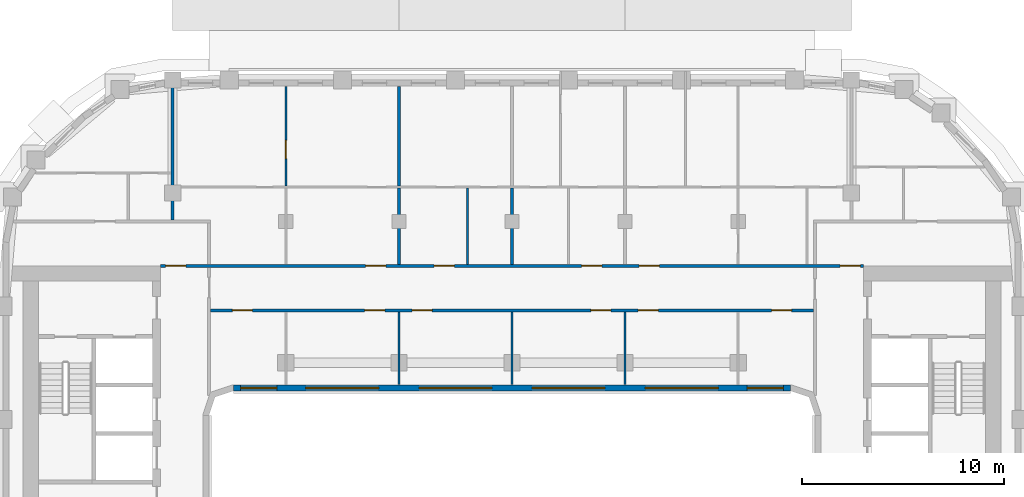
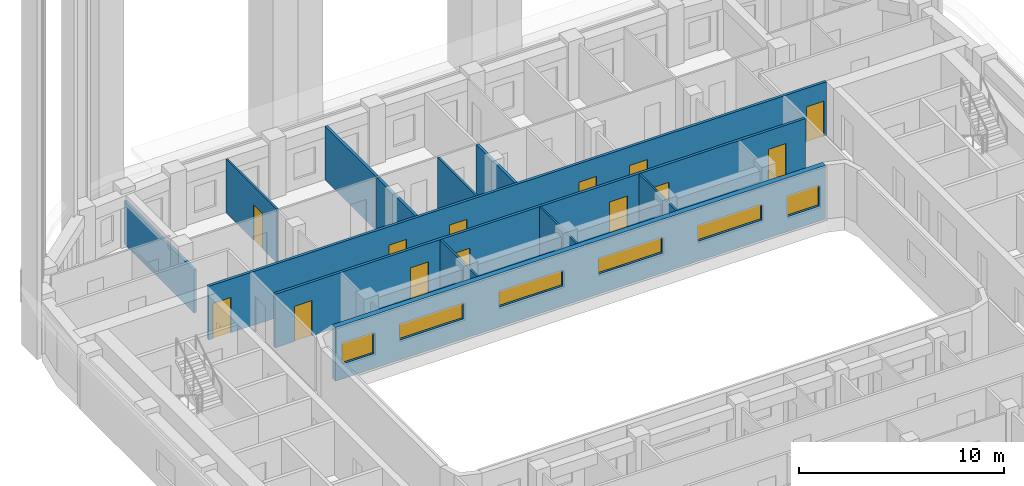
# One storey, part 7 of 20: 13 doors, 12 walls, 6 windows, 19 openings.
"""IFC4 building model written with IfcOpenShell, lengths in metres."""

import ifcopenshell
import ifcopenshell.guid

model = None  # the IFC model being written
_history = None  # IfcOwnerHistory: only IFC2X3 demands one
_inside = {}  # id of a spatial element -> (the spatial element, [elements in it])
_under = {}  # id of a project, library or spatial element -> (it, [spatial elements below it])
_declared = {}  # id of a project -> (the project, [libraries it declares])
_typed = {}  # id of a type object -> (the type object, [elements of that type])
_made_of = {}  # id of a material, layer set ... -> (it, [elements and type objects made of it])


def new_model(schema):
    """Start an empty IFC model of exactly this schema.

    Asked for "IFC4X3", IfcOpenShell would pick the latest addendum, in which some entities
    have other attributes; the version numbers below select the first issue.
    IFC2X3 requires an IfcOwnerHistory on every rooted entity: one is made here for all.
    """
    global model, _history
    if schema == "IFC4X3":
        model = ifcopenshell.file(schema_version=(4, 3, 0, 0))
    else:
        model = ifcopenshell.file(schema=schema)
    _inside.clear()
    _under.clear()
    _declared.clear()
    _typed.clear()
    _made_of.clear()
    _history = None
    if model.schema == "IFC2X3":
        org = make("IfcOrganization", Name="unknown")
        user = make(
            "IfcPersonAndOrganization",
            ThePerson=make("IfcPerson", FamilyName="unknown"),
            TheOrganization=org,
        )
        app = make(
            "IfcApplication",
            ApplicationDeveloper=org,
            Version="unknown",
            ApplicationFullName="unknown",
            ApplicationIdentifier="unknown",
        )
        _history = make(
            "IfcOwnerHistory",
            OwningUser=user,
            OwningApplication=app,
            ChangeAction="ADDED",
            CreationDate=0,
        )
    return model


def make(cls, **values):
    """One entity of the class cls with the attributes given. An attribute that is None is left unset."""
    return model.create_entity(
        cls, **{name: value for name, value in values.items() if value is not None}
    )


def rooted(cls, **values):
    """An entity with a GlobalId (a new one), such as an element, a storey or a relation."""
    return make(cls, GlobalId=ifcopenshell.guid.new(), OwnerHistory=_history, **values)


def si_unit(unit_type, name, prefix=None):
    """IfcSIUnit, for example si_unit("LENGTHUNIT", "METRE", prefix="MILLI")."""
    return make("IfcSIUnit", UnitType=unit_type, Prefix=prefix, Name=name)


def assignment(units):
    """IfcUnitAssignment: the units of a project."""
    return None if units is None else make("IfcUnitAssignment", Units=units)


def point(xyz):
    """IfcCartesianPoint."""
    return None if xyz is None else make("IfcCartesianPoint", Coordinates=xyz)


def direction(xyz):
    """IfcDirection."""
    return None if xyz is None else make("IfcDirection", DirectionRatios=xyz)


def frame(location, z_axis=None, x_axis=None):
    """IfcAxis2Placement3D, a coordinate frame: its origin and axes. An axis left out is left unset."""
    return make(
        "IfcAxis2Placement3D",
        Location=point(location),
        Axis=direction(z_axis),
        RefDirection=direction(x_axis),
    )


def frame_2d(location, x_axis=None):
    """IfcAxis2Placement2D, a coordinate frame in the plane: its origin and x axis."""
    return make(
        "IfcAxis2Placement2D", Location=point(location), RefDirection=direction(x_axis)
    )


def origin():
    """The frame at (0, 0, 0) with its axes left unset."""
    return frame((0.0, 0.0, 0.0))


def place(relative_to, where):
    """IfcLocalPlacement: puts the frame where relative to a parent placement (None: the world)."""
    return make(
        "IfcLocalPlacement", PlacementRelTo=relative_to, RelativePlacement=where
    )


def context(
    kind, dimensions, precision=None, world=None, true_north=None, identifier=None
):
    """IfcGeometricRepresentationContext, for example the 3D "Model" context."""
    return make(
        "IfcGeometricRepresentationContext",
        ContextIdentifier=identifier,
        ContextType=kind,
        CoordinateSpaceDimension=dimensions,
        Precision=precision,
        WorldCoordinateSystem=world,
        TrueNorth=true_north,
    )


def subcontext(parent, identifier, kind, view, scale=None):
    """IfcGeometricRepresentationSubContext, for example "Body" below "Model"."""
    return make(
        "IfcGeometricRepresentationSubContext",
        ContextIdentifier=identifier,
        ContextType=kind,
        ParentContext=parent,
        TargetScale=scale,
        TargetView=view,
    )


def project(units=None, contexts=None):
    """IfcProject with its units and contexts."""
    return rooted(
        "IfcProject",
        Name="project",
        RepresentationContexts=contexts,
        UnitsInContext=assignment(units),
    )


def spatial(cls, under=None, at=None, **own):
    """A site, building, storey or space (cls), placed at a placement, below another one or the project."""
    s = rooted(cls, ObjectPlacement=at, **own)
    if under is not None:
        _under.setdefault(under.id(), (under, []))[1].append(s)
    return s


def profile(cls, at=None, kind="AREA", **sizes):
    """A parametric profile (cls). Its sizes go by their IFC names, for example OverallWidth=200.0."""
    return make(cls, ProfileType=kind, Position=at, **sizes)


def rectangle(**sizes):
    """IfcRectangleProfileDef."""
    return profile("IfcRectangleProfileDef", **sizes)


def extrude(swept, where, along, depth):
    """IfcExtrudedAreaSolid: the profile swept, set in the frame where, extruded along a direction by depth."""
    return make(
        "IfcExtrudedAreaSolid",
        SweptArea=swept,
        Position=where,
        ExtrudedDirection=direction(along),
        Depth=depth,
    )


def shape(context_of_items, identifier, shape_type, items):
    """IfcShapeRepresentation: the items that make up one representation, for example the "Body"."""
    return make(
        "IfcShapeRepresentation",
        ContextOfItems=context_of_items,
        RepresentationIdentifier=identifier,
        RepresentationType=shape_type,
        Items=items,
    )


def material(Name=None, Category=None):
    """IfcMaterial."""
    return make("IfcMaterial", Name=Name, Category=Category)


def layer(
    of_material, thickness, ventilated=None, Name=None, Category=None, Priority=None
):
    """IfcMaterialLayer: one layer of a wall or slab, of a material (None: an air gap)."""
    return make(
        "IfcMaterialLayer",
        Material=of_material,
        LayerThickness=thickness,
        IsVentilated=ventilated,
        Name=Name,
        Category=Category,
        Priority=Priority,
    )


def layer_set(layers, Name=None):
    """IfcMaterialLayerSet."""
    return make("IfcMaterialLayerSet", MaterialLayers=layers, LayerSetName=Name)


def made_of(thing, what):
    """Note that an element or type object is made of a material, layer set ...; save() writes the relation."""
    if what is not None:
        _made_of.setdefault(what.id(), (what, []))[1].append(thing)
    return thing


def type_object(cls, material=None, **own):
    """A type object (cls), such as IfcWallType, which elements share."""
    return made_of(rooted(cls, **own), material)


def element(
    cls,
    number,
    at=None,
    inside=None,
    cuts=None,
    type_object=None,
    material=None,
    context=None,
    identifier="Body",
    shape_type=None,
    held_by="IfcProductDefinitionShape",
    body=None,
    shapes=None,
    **own,
):
    """One element of the class cls, such as IfcWall. Its Tag is "e" and its number.

    at: its placement. inside: the storey or other place that contains it. cuts: it is an
    opening in that element (IfcRelVoidsElement). A single representation is given by context,
    identifier, shape_type and body (its items); several are given by shapes. held_by: the class
    of the entity that holds the representations. save() writes the other relations.
    """
    e = rooted(cls, Tag="e%d" % number, ObjectPlacement=at, **own)
    if body is not None:
        shapes = [shape(context, identifier, shape_type, body)]
    if shapes is not None:
        e.Representation = make(held_by, Representations=shapes)
    if inside is not None:
        _inside.setdefault(inside.id(), (inside, []))[1].append(e)
    if cuts is not None:
        rooted(
            "IfcRelVoidsElement", RelatingBuildingElement=cuts, RelatedOpeningElement=e
        )
    if type_object is not None:
        _typed.setdefault(type_object.id(), (type_object, []))[1].append(e)
    return made_of(e, material)


def fill(opening, filler):
    """IfcRelFillsElement: the door or window that sits in an opening."""
    return rooted(
        "IfcRelFillsElement",
        RelatingOpeningElement=opening,
        RelatedBuildingElement=filler,
    )


def aggregate(whole, parts):
    """IfcRelAggregates: a whole, such as a stair, and the parts it consists of."""
    return rooted("IfcRelAggregates", RelatingObject=whole, RelatedObjects=parts)


def save(model, path):
    """Write the relations noted so far, then the file.

    IfcRelAggregates (storeys below a building ...), IfcRelContainedInSpatialStructure (elements
    in a storey), IfcRelDefinesByType, IfcRelAssociatesMaterial and IfcRelDeclares: one each for
    every whole, place, type object, material and project.
    """
    for whole, parts in _under.values():
        aggregate(whole, parts)
    for where, things in _inside.values():
        rooted(
            "IfcRelContainedInSpatialStructure",
            RelatedElements=things,
            RelatingStructure=where,
        )
    for kind, things in _typed.values():
        rooted("IfcRelDefinesByType", RelatedObjects=things, RelatingType=kind)
    for what, things in _made_of.values():
        rooted("IfcRelAssociatesMaterial", RelatedObjects=things, RelatingMaterial=what)
    for by, libraries in _declared.values():
        rooted("IfcRelDeclares", RelatingContext=by, RelatedDefinitions=libraries)
    model.write(path)


model = new_model("IFC4")

# Units and contexts
model_context = context("Model", 3, precision=1e-05, world=origin(), true_north=direction((0.0, 1.0)))
body_context = subcontext(model_context, "Body", "Model", "MODEL_VIEW")
ifc_project = project(units=[si_unit("LENGTHUNIT", "METRE"), si_unit("AREAUNIT", "SQUARE_METRE"), si_unit("VOLUMEUNIT", "CUBIC_METRE"), si_unit("PLANEANGLEUNIT", "RADIAN"), si_unit("MASSUNIT", "GRAM", prefix="KILO")], contexts=[model_context])

# Site, building, storey
site_placement = place(None, origin())
site = spatial("IfcSite", under=ifc_project, at=site_placement, CompositionType="ELEMENT")
building_placement = place(site_placement, origin())
building = spatial("IfcBuilding", under=site, at=building_placement, Name="Kiln Ring Residences", CompositionType="ELEMENT")
storey_placement = place(building_placement, frame((0.0, 0.0, 188.89990234375)))
storey = spatial("IfcBuildingStorey", under=building, at=storey_placement, Name="L48", CompositionType="ELEMENT", Elevation=188.89990234375)

# Wall, openings, windows
ifc_material_1 = material(Name="Brick masonry, dark clay brick", Category="masonry")
ifc_layer_1 = layer(ifc_material_1, 0.300048828125)
ifc_layer_set_1 = layer_set([ifc_layer_1], Name="EW-300 BRICK WALL")
wall_type_1 = type_object("IfcWallType", Name="EW-300 BRICK WALL", PredefinedType="SOLIDWALL", material=ifc_layer_set_1)
wall_1_placement = place(storey_placement, frame((-13.800048828125, 7.14990234375, 0.0), z_axis=(0.0, 0.0, 1.0), x_axis=(1.0, 0.0, 0.0)))
wall_1 = element("IfcWall", 1, at=wall_1_placement, inside=storey, type_object=wall_type_1, Name="Facade wall L48 48", PredefinedType="SOLIDWALL", context=body_context, shape_type="SweptSolid", body=[
    extrude(rectangle(XDim=27.60009765625, YDim=0.300048828125, at=frame_2d((13.800048828125, 0.0))), origin(), (0.0, 0.0, 1.0), 3.2001953125),
])
opening_1_placement = place(wall_1_placement, frame((0.362548828125, 0.0, 0.89990234375)))
opening_1 = element("IfcOpeningElement", 2, at=opening_1_placement, cuts=wall_1, Name="Opening W2", PredefinedType="OPENING", context=body_context, shape_type="SweptSolid", body=[
    extrude(rectangle(XDim=1.800048828125, YDim=1.25, at=frame_2d((0.89990234375, 0.625))), frame((0.0, 0.159912109375, 0.0), z_axis=(0.0, -1.0, 0.0), x_axis=(1.0, 0.0, 0.0)), (0.0, 0.0, 1.0), 0.320068359375),
])
opening_2_placement = place(wall_1_placement, frame((3.60009765625, 0.0, 1.199951171875)))
opening_2 = element("IfcOpeningElement", 3, at=opening_2_placement, cuts=wall_1, Name="Opening W4", PredefinedType="OPENING", context=body_context, shape_type="SweptSolid", body=[
    extrude(rectangle(XDim=3.60009765625, YDim=0.949951171875, at=frame_2d((1.800048828125, 0.47509765625))), frame((0.0, 0.159912109375, 0.0), z_axis=(0.0, -1.0, 0.0), x_axis=(1.0, 0.0, 0.0)), (0.0, 0.0, 1.0), 0.320068359375),
])
opening_3_placement = place(wall_1_placement, frame((9.199951171875, 0.0, 1.199951171875)))
opening_3 = element("IfcOpeningElement", 4, at=opening_3_placement, cuts=wall_1, Name="Opening W4", PredefinedType="OPENING", context=body_context, shape_type="SweptSolid", body=[
    extrude(rectangle(XDim=3.60009765625, YDim=0.949951171875, at=frame_2d((1.800048828125, 0.47509765625))), frame((0.0, 0.159912109375, 0.0), z_axis=(0.0, -1.0, 0.0), x_axis=(1.0, 0.0, 0.0)), (0.0, 0.0, 1.0), 0.320068359375),
])
opening_4_placement = place(wall_1_placement, frame((14.800048828125, 0.0, 1.199951171875)))
opening_4 = element("IfcOpeningElement", 5, at=opening_4_placement, cuts=wall_1, Name="Opening W4", PredefinedType="OPENING", context=body_context, shape_type="SweptSolid", body=[
    extrude(rectangle(XDim=3.60009765625, YDim=0.949951171875, at=frame_2d((1.800048828125, 0.47509765625))), frame((0.0, 0.159912109375, 0.0), z_axis=(0.0, -1.0, 0.0), x_axis=(1.0, 0.0, 0.0)), (0.0, 0.0, 1.0), 0.320068359375),
])
opening_5_placement = place(wall_1_placement, frame((20.39990234375, 0.0, 1.199951171875)))
opening_5 = element("IfcOpeningElement", 6, at=opening_5_placement, cuts=wall_1, Name="Opening W4", PredefinedType="OPENING", context=body_context, shape_type="SweptSolid", body=[
    extrude(rectangle(XDim=3.60009765625, YDim=0.949951171875, at=frame_2d((1.800048828125, 0.47509765625))), frame((0.0, 0.159912109375, 0.0), z_axis=(0.0, -1.0, 0.0), x_axis=(1.0, 0.0, 0.0)), (0.0, 0.0, 1.0), 0.320068359375),
])
opening_6_placement = place(wall_1_placement, frame((25.4375, 0.0, 0.89990234375)))
opening_6 = element("IfcOpeningElement", 7, at=opening_6_placement, cuts=wall_1, Name="Opening W2", PredefinedType="OPENING", context=body_context, shape_type="SweptSolid", body=[
    extrude(rectangle(XDim=1.800048828125, YDim=1.25, at=frame_2d((0.89990234375, 0.625))), frame((0.0, 0.159912109375, 0.0), z_axis=(0.0, -1.0, 0.0), x_axis=(1.0, 0.0, 0.0)), (0.0, 0.0, 1.0), 0.320068359375),
])
ifc_material_2 = material(Name="Aluminium frame with double glazing", Category="aluminium")
window_type_1 = type_object("IfcWindowType", Name="WINDOW 1800 x 1250", PartitioningType="SINGLE_PANEL", PredefinedType="WINDOW", material=ifc_material_2)
window_1_placement = place(opening_1_placement, origin())
window_1 = element("IfcWindow", 8, at=window_1_placement, inside=storey, type_object=window_type_1, Name="Window L48 35", OverallHeight=1.25, OverallWidth=1.800048828125, PartitioningType="SINGLE_PANEL", PredefinedType="WINDOW", context=body_context, shape_type="SweptSolid", body=[
    extrude(rectangle(XDim=1.800048828125, YDim=1.25, at=frame_2d((0.89990234375, 0.625))), frame((0.0, 0.030029296875, 0.0), z_axis=(0.0, -1.0, 0.0), x_axis=(1.0, 0.0, 0.0)), (0.0, 0.0, 1.0), 0.06005859375),
])
fill(opening_1, window_1)
window_2_placement = place(opening_6_placement, origin())
window_2 = element("IfcWindow", 9, at=window_2_placement, inside=storey, type_object=window_type_1, Name="Window L48 40", OverallHeight=1.25, OverallWidth=1.800048828125, PartitioningType="SINGLE_PANEL", PredefinedType="WINDOW", context=body_context, shape_type="SweptSolid", body=[
    extrude(rectangle(XDim=1.800048828125, YDim=1.25, at=frame_2d((0.89990234375, 0.625))), frame((0.0, 0.030029296875, 0.0), z_axis=(0.0, -1.0, 0.0), x_axis=(1.0, 0.0, 0.0)), (0.0, 0.0, 1.0), 0.06005859375),
])
fill(opening_6, window_2)
ifc_material_3 = material(Name="Aluminium frame with double glazing", Category="aluminium")
window_type_2 = type_object("IfcWindowType", Name="WINDOW 3600 x 950", PartitioningType="SINGLE_PANEL", PredefinedType="WINDOW", material=ifc_material_3)
window_3_placement = place(opening_2_placement, origin())
window_3 = element("IfcWindow", 10, at=window_3_placement, inside=storey, type_object=window_type_2, Name="Window L48 36", OverallHeight=0.949951171875, OverallWidth=3.60009765625, PartitioningType="SINGLE_PANEL", PredefinedType="WINDOW", context=body_context, shape_type="SweptSolid", body=[
    extrude(rectangle(XDim=3.60009765625, YDim=0.949951171875, at=frame_2d((1.800048828125, 0.47509765625))), frame((0.0, 0.030029296875, 0.0), z_axis=(0.0, -1.0, 0.0), x_axis=(1.0, 0.0, 0.0)), (0.0, 0.0, 1.0), 0.06005859375),
])
fill(opening_2, window_3)
window_4_placement = place(opening_3_placement, origin())
window_4 = element("IfcWindow", 11, at=window_4_placement, inside=storey, type_object=window_type_2, Name="Window L48 37", OverallHeight=0.949951171875, OverallWidth=3.60009765625, PartitioningType="SINGLE_PANEL", PredefinedType="WINDOW", context=body_context, shape_type="SweptSolid", body=[
    extrude(rectangle(XDim=3.60009765625, YDim=0.949951171875, at=frame_2d((1.800048828125, 0.47509765625))), frame((0.0, 0.030029296875, 0.0), z_axis=(0.0, -1.0, 0.0), x_axis=(1.0, 0.0, 0.0)), (0.0, 0.0, 1.0), 0.06005859375),
])
fill(opening_3, window_4)
window_5_placement = place(opening_4_placement, origin())
window_5 = element("IfcWindow", 12, at=window_5_placement, inside=storey, type_object=window_type_2, Name="Window L48 38", OverallHeight=0.949951171875, OverallWidth=3.60009765625, PartitioningType="SINGLE_PANEL", PredefinedType="WINDOW", context=body_context, shape_type="SweptSolid", body=[
    extrude(rectangle(XDim=3.60009765625, YDim=0.949951171875, at=frame_2d((1.800048828125, 0.47509765625))), frame((0.0, 0.030029296875, 0.0), z_axis=(0.0, -1.0, 0.0), x_axis=(1.0, 0.0, 0.0)), (0.0, 0.0, 1.0), 0.06005859375),
])
fill(opening_4, window_5)
window_6_placement = place(opening_5_placement, origin())
window_6 = element("IfcWindow", 13, at=window_6_placement, inside=storey, type_object=window_type_2, Name="Window L48 39", OverallHeight=0.949951171875, OverallWidth=3.60009765625, PartitioningType="SINGLE_PANEL", PredefinedType="WINDOW", context=body_context, shape_type="SweptSolid", body=[
    extrude(rectangle(XDim=3.60009765625, YDim=0.949951171875, at=frame_2d((1.800048828125, 0.47509765625))), frame((0.0, 0.030029296875, 0.0), z_axis=(0.0, -1.0, 0.0), x_axis=(1.0, 0.0, 0.0)), (0.0, 0.0, 1.0), 0.06005859375),
])
fill(opening_5, window_6)

# Wall, opening, door
ifc_material_4 = material(Name="Gypsum board on steel studs", Category="steel")
ifc_layer_2 = layer(ifc_material_4, 0.10009765625)
ifc_layer_set_2 = layer_set([ifc_layer_2], Name="PARTITION-100")
wall_type_2 = type_object("IfcWallType", Name="PARTITION-100", PredefinedType="PARTITIONING", material=ifc_layer_set_2)
wall_2_placement = place(storey_placement, frame((-11.199951171875, 17.14990234375, 0.0), z_axis=(0.0, 0.0, 1.0), x_axis=(0.0, 1.0, 0.0)))
wall_2 = element("IfcWall", 14, at=wall_2_placement, inside=storey, type_object=wall_type_2, Name="Partition 027", PredefinedType="PARTITIONING", context=body_context, shape_type="SweptSolid", body=[
    extrude(rectangle(XDim=4.93017578125, YDim=0.10009765625, at=frame_2d((2.465087890625, 0.0))), origin(), (0.0, 0.0, 1.0), 3.2001953125),
])
opening_7_placement = place(wall_2_placement, frame((1.360107421875, 0.0, 0.0)))
opening_7 = element("IfcOpeningElement", 15, at=opening_7_placement, cuts=wall_2, Name="Opening L48-D018", PredefinedType="OPENING", context=body_context, shape_type="SweptSolid", body=[
    extrude(rectangle(XDim=0.89990234375, YDim=2.10009765625, at=frame_2d((0.449951171875, 1.050048828125))), frame((0.0, 0.06005859375, 0.0), z_axis=(0.0, -1.0, 0.0), x_axis=(1.0, 0.0, 0.0)), (0.0, 0.0, 1.0), 0.1201171875),
])
ifc_material_5 = material(Name="Timber door leaf", Category="wood")
door_type_1 = type_object("IfcDoorType", Name="FLAT-DOOR-900-PL", OperationType="SINGLE_SWING_LEFT", PredefinedType="DOOR", material=ifc_material_5)
door_1_placement = place(opening_7_placement, origin())
door_1 = element("IfcDoor", 16, at=door_1_placement, inside=storey, type_object=door_type_1, Name="Door L48-D018", OperationType="SINGLE_SWING_RIGHT", OverallHeight=2.10009765625, OverallWidth=0.89990234375, PredefinedType="DOOR", context=body_context, shape_type="SweptSolid", body=[
    extrude(rectangle(XDim=0.89990234375, YDim=2.10009765625, at=frame_2d((0.449951171875, 1.050048828125))), frame((0.0, 0.02490234375, 0.0), z_axis=(0.0, -1.0, 0.0), x_axis=(1.0, 0.0, 0.0)), (0.0, 0.0, 1.0), 0.050048828125),
])
fill(opening_7, door_1)

# Walls
wall_3_placement = place(storey_placement, frame((-5.60009765625, 7.320068359375, 0.0), z_axis=(0.0, 0.0, 1.0), x_axis=(0.0, 1.0, 0.0)))
element("IfcWall", 17, at=wall_3_placement, inside=storey, type_object=wall_type_2, Name="Partition 033", PredefinedType="PARTITIONING", context=body_context, shape_type="SweptSolid", body=[
    extrude(rectangle(XDim=3.60498046875, YDim=0.10009765625, at=frame_2d((1.802490234375, 0.0))), origin(), (0.0, 0.0, 1.0), 3.2001953125),
])
wall_4_placement = place(storey_placement, frame((-2.199951171875, 13.27490234375, 0.0), z_axis=(0.0, 0.0, 1.0), x_axis=(0.0, 1.0, 0.0)))
element("IfcWall", 18, at=wall_4_placement, inside=storey, type_object=wall_type_2, Name="Partition 037", PredefinedType="PARTITIONING", context=body_context, shape_type="SweptSolid", body=[
    extrude(rectangle(XDim=3.775146484375, YDim=0.10009765625, at=frame_2d((1.8876953125, 0.0))), origin(), (0.0, 0.0, 1.0), 3.2001953125),
])
for number, where, z_axis, x_axis, name in (
    (19, (0.0, 7.320068359375, 0.0), (0.0, 0.0, 1.0), (0.0, 1.0, 0.0), "Partition 039"),
    (20, (5.60009765625, 7.320068359375, 0.0), (0.0, 0.0, 1.0), (0.0, 1.0, 0.0), "Partition 049"),
):
    element("IfcWall", number, at=place(storey_placement, frame(where, z_axis=z_axis, x_axis=x_axis)), inside=storey, type_object=wall_type_2, Name=name, PredefinedType="PARTITIONING", context=body_context, shape_type="SweptSolid", body=[
        extrude(rectangle(XDim=3.60498046875, YDim=0.10009765625, at=frame_2d((1.802490234375, 0.0))), origin(), (0.0, 0.0, 1.0), 3.2001953125),
    ])

# Wall, openings, doors
ifc_material_6 = material(Name="Brick masonry partition", Category="masonry")
ifc_layer_3 = layer(ifc_material_6, 0.14990234375)
ifc_layer_set_3 = layer_set([ifc_layer_3], Name="PARTITION-150-ei60")
wall_type_3 = type_object("IfcWallType", Name="PARTITION-150-ei60", PredefinedType="PARTITIONING", material=ifc_layer_set_3)
wall_5_placement = place(storey_placement, frame((-14.925048828125, 11.0, 0.0), z_axis=(0.0, 0.0, 1.0), x_axis=(1.0, 0.0, 0.0)))
wall_5 = element("IfcWall", 21, at=wall_5_placement, inside=storey, type_object=wall_type_3, Name="Partition 007", PredefinedType="PARTITIONING", context=body_context, shape_type="SweptSolid", body=[
    extrude(rectangle(XDim=29.85009765625, YDim=0.14990234375, at=frame_2d((14.925048828125, 0.0))), origin(), (0.0, 0.0, 1.0), 3.2001953125),
])
opening_8_placement = place(wall_5_placement, frame((1.075927734375, 0.0, 0.0)))
opening_8 = element("IfcOpeningElement", 22, at=opening_8_placement, cuts=wall_5, Name="Opening L48-D009", PredefinedType="OPENING", context=body_context, shape_type="SweptSolid", body=[
    extrude(rectangle(XDim=1.0, YDim=2.10009765625, at=frame_2d((0.5, 1.050048828125))), frame((0.0, 0.0849609375, 0.0), z_axis=(0.0, -1.0, 0.0), x_axis=(1.0, 0.0, 0.0)), (0.0, 0.0, 1.0), 0.169921875),
])
opening_9_placement = place(wall_5_placement, frame((7.625, 0.0, 0.0)))
opening_9 = element("IfcOpeningElement", 23, at=opening_9_placement, cuts=wall_5, Name="Opening L48-D010", PredefinedType="OPENING", context=body_context, shape_type="SweptSolid", body=[
    extrude(rectangle(XDim=1.0, YDim=2.10009765625, at=frame_2d((0.5, 1.050048828125))), frame((0.0, 0.0849609375, 0.0), z_axis=(0.0, -1.0, 0.0), x_axis=(1.0, 0.0, 0.0)), (0.0, 0.0, 1.0), 0.169921875),
])
opening_10_placement = place(wall_5_placement, frame((9.97509765625, 0.0, 0.0)))
opening_10 = element("IfcOpeningElement", 24, at=opening_10_placement, cuts=wall_5, Name="Opening L48-D011", PredefinedType="OPENING", context=body_context, shape_type="SweptSolid", body=[
    extrude(rectangle(XDim=1.0, YDim=2.10009765625, at=frame_2d((0.5, 1.050048828125))), frame((0.0, 0.0849609375, 0.0), z_axis=(0.0, -1.0, 0.0), x_axis=(1.0, 0.0, 0.0)), (0.0, 0.0, 1.0), 0.169921875),
])
opening_11_placement = place(wall_5_placement, frame((18.824951171875, 0.0, 0.0)))
opening_11 = element("IfcOpeningElement", 25, at=opening_11_placement, cuts=wall_5, Name="Opening L48-D012", PredefinedType="OPENING", context=body_context, shape_type="SweptSolid", body=[
    extrude(rectangle(XDim=1.0, YDim=2.10009765625, at=frame_2d((0.5, 1.050048828125))), frame((0.0, 0.0849609375, 0.0), z_axis=(0.0, -1.0, 0.0), x_axis=(1.0, 0.0, 0.0)), (0.0, 0.0, 1.0), 0.169921875),
])
opening_12_placement = place(wall_5_placement, frame((21.175048828125, 0.0, 0.0)))
opening_12 = element("IfcOpeningElement", 26, at=opening_12_placement, cuts=wall_5, Name="Opening L48-D013", PredefinedType="OPENING", context=body_context, shape_type="SweptSolid", body=[
    extrude(rectangle(XDim=1.0, YDim=2.10009765625, at=frame_2d((0.5, 1.050048828125))), frame((0.0, 0.0849609375, 0.0), z_axis=(0.0, -1.0, 0.0), x_axis=(1.0, 0.0, 0.0)), (0.0, 0.0, 1.0), 0.169921875),
])
opening_13_placement = place(wall_5_placement, frame((27.77490234375, 0.0, 0.0)))
opening_13 = element("IfcOpeningElement", 27, at=opening_13_placement, cuts=wall_5, Name="Opening L48-D014", PredefinedType="OPENING", context=body_context, shape_type="SweptSolid", body=[
    extrude(rectangle(XDim=1.0, YDim=2.10009765625, at=frame_2d((0.5, 1.050048828125))), frame((0.0, 0.0849609375, 0.0), z_axis=(0.0, -1.0, 0.0), x_axis=(1.0, 0.0, 0.0)), (0.0, 0.0, 1.0), 0.169921875),
])
ifc_material_7 = material(Name="Steel faced fire door leaf", Category="steel")
door_type_2 = type_object("IfcDoorType", Name="FLAT-DOOR-1000-FR", OperationType="SINGLE_SWING_LEFT", PredefinedType="DOOR", material=ifc_material_7)
door_2_placement = place(opening_8_placement, origin())
door_2 = element("IfcDoor", 28, at=door_2_placement, inside=storey, type_object=door_type_2, Name="Door L48-D009", OperationType="SINGLE_SWING_LEFT", OverallHeight=2.10009765625, OverallWidth=1.0, PredefinedType="DOOR", context=body_context, shape_type="SweptSolid", body=[
    extrude(rectangle(XDim=1.0, YDim=2.10009765625, at=frame_2d((0.5, 1.050048828125))), frame((0.0, 0.02490234375, 0.0), z_axis=(0.0, -1.0, 0.0), x_axis=(1.0, 0.0, 0.0)), (0.0, 0.0, 1.0), 0.050048828125),
])
fill(opening_8, door_2)
door_3_placement = place(opening_9_placement, origin())
door_3 = element("IfcDoor", 29, at=door_3_placement, inside=storey, type_object=door_type_2, Name="Door L48-D010", OperationType="SINGLE_SWING_RIGHT", OverallHeight=2.10009765625, OverallWidth=1.0, PredefinedType="DOOR", context=body_context, shape_type="SweptSolid", body=[
    extrude(rectangle(XDim=1.0, YDim=2.10009765625, at=frame_2d((0.5, 1.050048828125))), frame((0.0, 0.02490234375, 0.0), z_axis=(0.0, -1.0, 0.0), x_axis=(1.0, 0.0, 0.0)), (0.0, 0.0, 1.0), 0.050048828125),
])
fill(opening_9, door_3)
door_4_placement = place(opening_10_placement, origin())
door_4 = element("IfcDoor", 30, at=door_4_placement, inside=storey, type_object=door_type_2, Name="Door L48-D011", OperationType="SINGLE_SWING_LEFT", OverallHeight=2.10009765625, OverallWidth=1.0, PredefinedType="DOOR", context=body_context, shape_type="SweptSolid", body=[
    extrude(rectangle(XDim=1.0, YDim=2.10009765625, at=frame_2d((0.5, 1.050048828125))), frame((0.0, 0.02490234375, 0.0), z_axis=(0.0, -1.0, 0.0), x_axis=(1.0, 0.0, 0.0)), (0.0, 0.0, 1.0), 0.050048828125),
])
fill(opening_10, door_4)
door_5_placement = place(opening_11_placement, origin())
door_5 = element("IfcDoor", 31, at=door_5_placement, inside=storey, type_object=door_type_2, Name="Door L48-D012", OperationType="SINGLE_SWING_RIGHT", OverallHeight=2.10009765625, OverallWidth=1.0, PredefinedType="DOOR", context=body_context, shape_type="SweptSolid", body=[
    extrude(rectangle(XDim=1.0, YDim=2.10009765625, at=frame_2d((0.5, 1.050048828125))), frame((0.0, 0.02490234375, 0.0), z_axis=(0.0, -1.0, 0.0), x_axis=(1.0, 0.0, 0.0)), (0.0, 0.0, 1.0), 0.050048828125),
])
fill(opening_11, door_5)
door_6_placement = place(opening_12_placement, origin())
door_6 = element("IfcDoor", 32, at=door_6_placement, inside=storey, type_object=door_type_2, Name="Door L48-D013", OperationType="SINGLE_SWING_LEFT", OverallHeight=2.10009765625, OverallWidth=1.0, PredefinedType="DOOR", context=body_context, shape_type="SweptSolid", body=[
    extrude(rectangle(XDim=1.0, YDim=2.10009765625, at=frame_2d((0.5, 1.050048828125))), frame((0.0, 0.02490234375, 0.0), z_axis=(0.0, -1.0, 0.0), x_axis=(1.0, 0.0, 0.0)), (0.0, 0.0, 1.0), 0.050048828125),
])
fill(opening_12, door_6)
door_7_placement = place(opening_13_placement, origin())
door_7 = element("IfcDoor", 33, at=door_7_placement, inside=storey, type_object=door_type_2, Name="Door L48-D014", OperationType="SINGLE_SWING_RIGHT", OverallHeight=2.10009765625, OverallWidth=1.0, PredefinedType="DOOR", context=body_context, shape_type="SweptSolid", body=[
    extrude(rectangle(XDim=1.0, YDim=2.10009765625, at=frame_2d((0.5, 1.050048828125))), frame((0.0, 0.02490234375, 0.0), z_axis=(0.0, -1.0, 0.0), x_axis=(1.0, 0.0, 0.0)), (0.0, 0.0, 1.0), 0.050048828125),
])
fill(opening_13, door_7)

wall_6_placement = place(storey_placement, frame((-17.39990234375, 13.199951171875, 0.0), z_axis=(0.0, 0.0, 1.0), x_axis=(1.0, 0.0, 0.0)))
wall_6 = element("IfcWall", 34, at=wall_6_placement, inside=storey, type_object=wall_type_3, Name="Partition 008", PredefinedType="PARTITIONING", context=body_context, shape_type="SweptSolid", body=[
    extrude(rectangle(XDim=34.7998046875, YDim=0.14990234375, at=frame_2d((17.39990234375, 0.0))), origin(), (0.0, 0.0, 1.0), 3.2001953125),
])
opening_14_placement = place(wall_6_placement, frame((0.25, 0.0, 0.0)))
opening_14 = element("IfcOpeningElement", 35, at=opening_14_placement, cuts=wall_6, Name="Opening L48-D003", PredefinedType="OPENING", context=body_context, shape_type="SweptSolid", body=[
    extrude(rectangle(XDim=1.0, YDim=2.10009765625, at=frame_2d((0.5, 1.050048828125))), frame((0.0, 0.0849609375, 0.0), z_axis=(0.0, -1.0, 0.0), x_axis=(1.0, 0.0, 0.0)), (0.0, 0.0, 1.0), 0.169921875),
])
opening_15_placement = place(wall_6_placement, frame((33.64990234375, 0.0, 0.0)))
opening_15 = element("IfcOpeningElement", 36, at=opening_15_placement, cuts=wall_6, Name="Opening L48-D004", PredefinedType="OPENING", context=body_context, shape_type="SweptSolid", body=[
    extrude(rectangle(XDim=1.0, YDim=2.10009765625, at=frame_2d((0.5, 1.050048828125))), frame((0.0, 0.0849609375, 0.0), z_axis=(0.0, -1.0, 0.0), x_axis=(1.0, 0.0, 0.0)), (0.0, 0.0, 1.0), 0.169921875),
])
opening_16_placement = place(wall_6_placement, frame((10.14990234375, 0.0, 0.0)))
opening_16 = element("IfcOpeningElement", 37, at=opening_16_placement, cuts=wall_6, Name="Opening L48-D015", PredefinedType="OPENING", context=body_context, shape_type="SweptSolid", body=[
    extrude(rectangle(XDim=1.0, YDim=2.10009765625, at=frame_2d((0.5, 1.050048828125))), frame((0.0, 0.0849609375, 0.0), z_axis=(0.0, -1.0, 0.0), x_axis=(1.0, 0.0, 0.0)), (0.0, 0.0, 1.0), 0.169921875),
])
opening_17_placement = place(wall_6_placement, frame((13.550048828125, 0.0, 0.0)))
opening_17 = element("IfcOpeningElement", 38, at=opening_17_placement, cuts=wall_6, Name="Opening L48-D019", PredefinedType="OPENING", context=body_context, shape_type="SweptSolid", body=[
    extrude(rectangle(XDim=1.0, YDim=2.10009765625, at=frame_2d((0.5, 1.050048828125))), frame((0.0, 0.0849609375, 0.0), z_axis=(0.0, -1.0, 0.0), x_axis=(1.0, 0.0, 0.0)), (0.0, 0.0, 1.0), 0.169921875),
])
opening_18_placement = place(wall_6_placement, frame((20.85009765625, 0.0, 0.0)))
opening_18 = element("IfcOpeningElement", 39, at=opening_18_placement, cuts=wall_6, Name="Opening L48-D022", PredefinedType="OPENING", context=body_context, shape_type="SweptSolid", body=[
    extrude(rectangle(XDim=1.0, YDim=2.10009765625, at=frame_2d((0.5, 1.050048828125))), frame((0.0, 0.0849609375, 0.0), z_axis=(0.0, -1.0, 0.0), x_axis=(1.0, 0.0, 0.0)), (0.0, 0.0, 1.0), 0.169921875),
])
opening_19_placement = place(wall_6_placement, frame((23.699951171875, 0.0, 0.0)))
opening_19 = element("IfcOpeningElement", 40, at=opening_19_placement, cuts=wall_6, Name="Opening L48-D026", PredefinedType="OPENING", context=body_context, shape_type="SweptSolid", body=[
    extrude(rectangle(XDim=1.0, YDim=2.10009765625, at=frame_2d((0.5, 1.050048828125))), frame((0.0, 0.0849609375, 0.0), z_axis=(0.0, -1.0, 0.0), x_axis=(1.0, 0.0, 0.0)), (0.0, 0.0, 1.0), 0.169921875),
])
door_8_placement = place(opening_14_placement, origin())
door_8 = element("IfcDoor", 41, at=door_8_placement, inside=storey, type_object=door_type_2, Name="Door L48-D003", OperationType="SINGLE_SWING_LEFT", OverallHeight=2.10009765625, OverallWidth=1.0, PredefinedType="DOOR", context=body_context, shape_type="SweptSolid", body=[
    extrude(rectangle(XDim=1.0, YDim=2.10009765625, at=frame_2d((0.5, 1.050048828125))), frame((0.0, 0.02490234375, 0.0), z_axis=(0.0, -1.0, 0.0), x_axis=(1.0, 0.0, 0.0)), (0.0, 0.0, 1.0), 0.050048828125),
])
fill(opening_14, door_8)
door_9_placement = place(opening_15_placement, origin())
door_9 = element("IfcDoor", 42, at=door_9_placement, inside=storey, type_object=door_type_2, Name="Door L48-D004", OperationType="SINGLE_SWING_RIGHT", OverallHeight=2.10009765625, OverallWidth=1.0, PredefinedType="DOOR", context=body_context, shape_type="SweptSolid", body=[
    extrude(rectangle(XDim=1.0, YDim=2.10009765625, at=frame_2d((0.5, 1.050048828125))), frame((0.0, 0.02490234375, 0.0), z_axis=(0.0, -1.0, 0.0), x_axis=(1.0, 0.0, 0.0)), (0.0, 0.0, 1.0), 0.050048828125),
])
fill(opening_15, door_9)
door_10_placement = place(opening_16_placement, origin())
door_10 = element("IfcDoor", 43, at=door_10_placement, inside=storey, type_object=door_type_2, Name="Door L48-D015", OperationType="SINGLE_SWING_LEFT", OverallHeight=2.10009765625, OverallWidth=1.0, PredefinedType="DOOR", context=body_context, shape_type="SweptSolid", body=[
    extrude(rectangle(XDim=1.0, YDim=2.10009765625, at=frame_2d((0.5, 1.050048828125))), frame((0.0, 0.02490234375, 0.0), z_axis=(0.0, -1.0, 0.0), x_axis=(1.0, 0.0, 0.0)), (0.0, 0.0, 1.0), 0.050048828125),
])
fill(opening_16, door_10)
door_11_placement = place(opening_17_placement, origin())
door_11 = element("IfcDoor", 44, at=door_11_placement, inside=storey, type_object=door_type_2, Name="Door L48-D019", OperationType="SINGLE_SWING_LEFT", OverallHeight=2.10009765625, OverallWidth=1.0, PredefinedType="DOOR", context=body_context, shape_type="SweptSolid", body=[
    extrude(rectangle(XDim=1.0, YDim=2.10009765625, at=frame_2d((0.5, 1.050048828125))), frame((0.0, 0.02490234375, 0.0), z_axis=(0.0, -1.0, 0.0), x_axis=(1.0, 0.0, 0.0)), (0.0, 0.0, 1.0), 0.050048828125),
])
fill(opening_17, door_11)
door_12_placement = place(opening_18_placement, origin())
door_12 = element("IfcDoor", 45, at=door_12_placement, inside=storey, type_object=door_type_2, Name="Door L48-D022", OperationType="SINGLE_SWING_RIGHT", OverallHeight=2.10009765625, OverallWidth=1.0, PredefinedType="DOOR", context=body_context, shape_type="SweptSolid", body=[
    extrude(rectangle(XDim=1.0, YDim=2.10009765625, at=frame_2d((0.5, 1.050048828125))), frame((0.0, 0.02490234375, 0.0), z_axis=(0.0, -1.0, 0.0), x_axis=(1.0, 0.0, 0.0)), (0.0, 0.0, 1.0), 0.050048828125),
])
fill(opening_18, door_12)
door_13_placement = place(opening_19_placement, origin())
door_13 = element("IfcDoor", 46, at=door_13_placement, inside=storey, type_object=door_type_2, Name="Door L48-D026", OperationType="SINGLE_SWING_RIGHT", OverallHeight=2.10009765625, OverallWidth=1.0, PredefinedType="DOOR", context=body_context, shape_type="SweptSolid", body=[
    extrude(rectangle(XDim=1.0, YDim=2.10009765625, at=frame_2d((0.5, 1.050048828125))), frame((0.0, 0.02490234375, 0.0), z_axis=(0.0, -1.0, 0.0), x_axis=(1.0, 0.0, 0.0)), (0.0, 0.0, 1.0), 0.050048828125),
])
fill(opening_19, door_13)

# Walls
wall_7_placement = place(storey_placement, frame((-16.800048828125, 15.47509765625, 0.0), z_axis=(0.0, 0.0, 1.0), x_axis=(0.0, 1.0, 0.0)))
element("IfcWall", 47, at=wall_7_placement, inside=storey, type_object=wall_type_3, Name="Partition 018", PredefinedType="PARTITIONING", context=body_context, shape_type="SweptSolid", body=[
    extrude(rectangle(XDim=6.8349609375, YDim=0.14990234375, at=frame_2d((3.41748046875, 0.0))), origin(), (0.0, 0.0, 1.0), 2.550048828125),
])
wall_8_placement = place(storey_placement, frame((-5.60009765625, 13.27490234375, 0.0), z_axis=(0.0, 0.0, 1.0), x_axis=(0.0, 1.0, 0.0)))
element("IfcWall", 48, at=wall_8_placement, inside=storey, type_object=wall_type_3, Name="Partition 035", PredefinedType="PARTITIONING", context=body_context, shape_type="SweptSolid", body=[
    extrude(rectangle(XDim=3.775146484375, YDim=0.14990234375, at=frame_2d((1.8876953125, 0.0))), origin(), (0.0, 0.0, 1.0), 3.2001953125),
])
wall_9_placement = place(storey_placement, frame((-5.60009765625, 17.14990234375, 0.0), z_axis=(0.0, 0.0, 1.0), x_axis=(0.0, 1.0, 0.0)))
element("IfcWall", 49, at=wall_9_placement, inside=storey, type_object=wall_type_3, Name="Partition 036", PredefinedType="PARTITIONING", context=body_context, shape_type="SweptSolid", body=[
    extrude(rectangle(XDim=4.93017578125, YDim=0.14990234375, at=frame_2d((2.465087890625, 0.0))), origin(), (0.0, 0.0, 1.0), 3.2001953125),
])
wall_10_placement = place(storey_placement, frame((0.0, 13.27490234375, 0.0), z_axis=(0.0, 0.0, 1.0), x_axis=(0.0, 1.0, 0.0)))
element("IfcWall", 50, at=wall_10_placement, inside=storey, type_object=wall_type_3, Name="Partition 042", PredefinedType="PARTITIONING", context=body_context, shape_type="SweptSolid", body=[
    extrude(rectangle(XDim=3.775146484375, YDim=0.14990234375, at=frame_2d((1.8876953125, 0.0))), origin(), (0.0, 0.0, 1.0), 3.2001953125),
])

save(model, "model.ifc")
